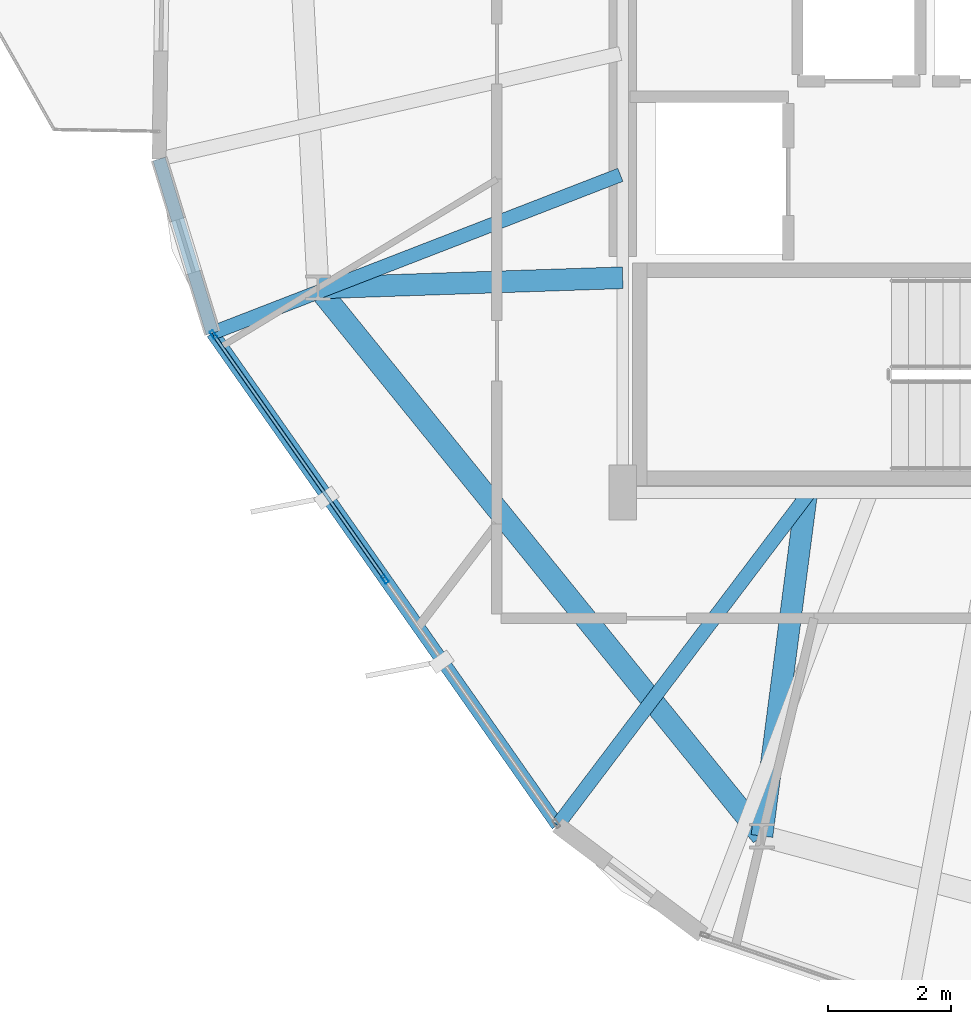
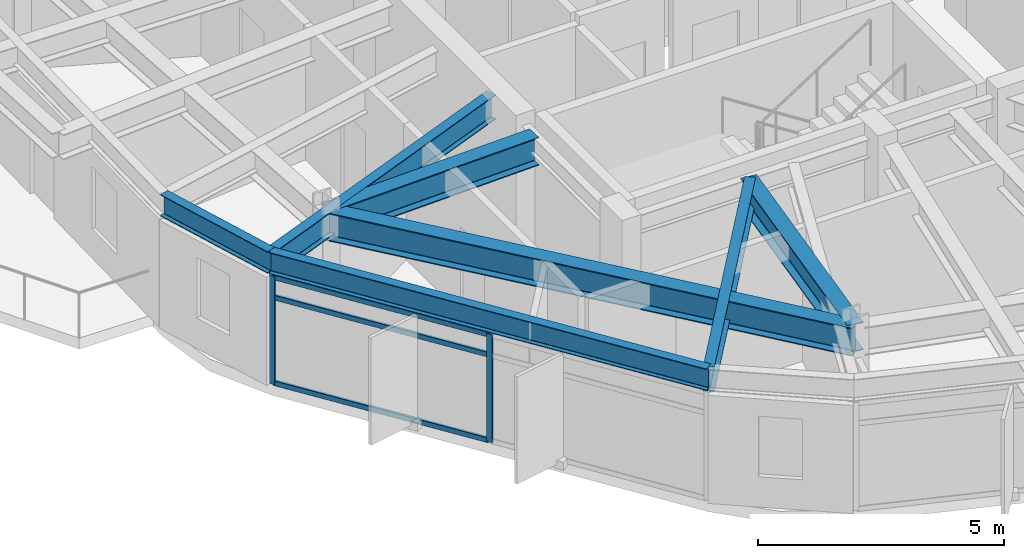
# One storey, part 3 of 29: 7 beams, 5 members, 1 element without a shape of its own.
"""IFC4 building model written with IfcOpenShell, lengths in metres."""

from ifc_helpers import new_model, si_unit, direction, frame, origin, origin_2d, place, context, subcontext, project, spatial, hollow_rectangle, i_section, extrude, material, layer, layer_set, material_profile, profile_set, type_object, element, aggregate, save


model = new_model("IFC4")

# Units and contexts
model_context = context("Model", 3, precision=1e-05, world=origin(), true_north=direction((0.0, 1.0)))
body_context = subcontext(model_context, "Body", "Model", "MODEL_VIEW")
ifc_project = project(units=[si_unit("LENGTHUNIT", "METRE"), si_unit("AREAUNIT", "SQUARE_METRE"), si_unit("VOLUMEUNIT", "CUBIC_METRE"), si_unit("PLANEANGLEUNIT", "RADIAN"), si_unit("MASSUNIT", "GRAM", prefix="KILO")], contexts=[model_context])

# Site, building, storey
site_placement = place(None, origin())
site = spatial("IfcSite", under=ifc_project, at=site_placement, CompositionType="ELEMENT")
building_placement = place(site_placement, origin())
building = spatial("IfcBuilding", under=site, at=building_placement, Name="Soratama Intermodal Tower", CompositionType="ELEMENT")
storey_placement = place(building_placement, frame((0.0, 0.0, 226.60009765625)))
storey = spatial("IfcBuildingStorey", under=building, at=storey_placement, Name="L57", CompositionType="ELEMENT", Elevation=226.60009765625)

# Beams
ifc_material_1 = material(Name="Structural steel ASTM A992 Grade 50", Category="steel")
ifc_material_profile_1 = material_profile(ifc_material_1, i_section(OverallWidth=0.35498046875, OverallDepth=0.695068359375, WebThickness=0.015380859375, FlangeThickness=0.02490234375, FilletRadius=0.01611328125, at=origin_2d()), Name="W27X146")
ifc_profile_set_1 = profile_set([ifc_material_profile_1], Name="Structural steel ASTM A992 Grade 50")
beam_type_1 = type_object("IfcBeamType", Name="BM-RING-W27X146", PredefinedType="BEAM", material=ifc_profile_set_1)
beam_1_placement = place(storey_placement, frame((27.635009765625, 18.333984375, 2.952392578125), z_axis=(0.629384551156, -0.777094001242, 0.0), x_axis=(0.777094001242, 0.629384551156, 0.0)))
element("IfcBeam", 1, at=beam_1_placement, inside=storey, type_object=beam_type_1, Name="BM-L57-RING-06", PredefinedType="BEAM", context=body_context, shape_type="SweptSolid", body=[
    extrude(i_section(OverallWidth=0.35498046875, OverallDepth=0.695068359375, WebThickness=0.015380859375, FlangeThickness=0.02490234375, FilletRadius=0.01611328125, at=origin_2d()), origin(), (0.0, 0.0, 1.0), 11.49560546875),
])
beam_2_placement = place(storey_placement, frame((32.60009765625, 18.5, 2.952392578125), z_axis=(-0.999441465401, -0.033417917907, 0.0), x_axis=(0.033417917907, -0.999441465401, 0.0)))
element("IfcBeam", 2, at=beam_2_placement, inside=storey, type_object=beam_type_1, Name="BM-L57-RAD-06", PredefinedType="BEAM", context=body_context, shape_type="SweptSolid", body=[
    extrude(i_section(OverallWidth=0.35498046875, OverallDepth=0.695068359375, WebThickness=0.015380859375, FlangeThickness=0.02490234375, FilletRadius=0.01611328125, at=origin_2d()), origin(), (0.0, 0.0, 1.0), 4.9677734375),
])
beam_3_placement = place(storey_placement, frame((35.60009765625, 15.0, 2.952392578125), z_axis=(-0.129280033694, -0.991608124658, 0.0), x_axis=(0.991608124658, -0.129280033694, 0.0)))
element("IfcBeam", 3, at=beam_3_placement, inside=storey, type_object=beam_type_1, Name="BM-L57-RAD-07", PredefinedType="BEAM", context=body_context, shape_type="SweptSolid", body=[
    extrude(i_section(OverallWidth=0.35498046875, OverallDepth=0.695068359375, WebThickness=0.015380859375, FlangeThickness=0.02490234375, FilletRadius=0.01611328125, at=origin_2d()), origin(), (0.0, 0.0, 1.0), 5.646484375),
])
ifc_material_2 = material(Name="Structural steel ASTM A992 Grade 50", Category="steel")
ifc_material_profile_2 = material_profile(ifc_material_2, i_section(OverallWidth=0.2099609375, OverallDepth=0.537109375, WebThickness=0.010986328125, FlangeThickness=0.017333984375, FilletRadius=0.012939453125, at=origin_2d()), Name="W21X68")
ifc_profile_set_2 = profile_set([ifc_material_profile_2], Name="Structural steel ASTM A992 Grade 50")
beam_type_2 = type_object("IfcBeamType", Name="BM-SPN-W21X68", PredefinedType="SPANDREL", material=ifc_profile_set_2)
beam_4_placement = place(storey_placement, frame((25.0439453125, 20.43505859375, 3.031494140625), z_axis=(0.293021428362, -0.956105874117, 0.0), x_axis=(0.956105874117, 0.293021428362, 0.0)))
element("IfcBeam", 4, at=beam_4_placement, inside=storey, type_object=beam_type_2, Name="BS-L57-CRN04", PredefinedType="SPANDREL", context=body_context, shape_type="SweptSolid", body=[
    extrude(i_section(OverallWidth=0.2099609375, OverallDepth=0.537109375, WebThickness=0.010986328125, FlangeThickness=0.017333984375, FilletRadius=0.012939453125, at=origin_2d()), origin(), (0.0, 0.0, 1.0), 2.966064453125),
])
beam_5_placement = place(storey_placement, frame((25.9130859375, 17.59912109375, 3.031494140625), z_axis=(0.574109362943, -0.818778626603, 0.0), x_axis=(0.818778626603, 0.574109362943, 0.0)))
element("IfcBeam", 5, at=beam_5_placement, inside=storey, type_object=beam_type_2, Name="BS-L57-F05", PredefinedType="SPANDREL", context=body_context, shape_type="SweptSolid", body=[
    extrude(i_section(OverallWidth=0.2099609375, OverallDepth=0.537109375, WebThickness=0.010986328125, FlangeThickness=0.017333984375, FilletRadius=0.012939453125, at=origin_2d()), origin(), (0.0, 0.0, 1.0), 9.7978515625),
])
ifc_material_3 = material(Name="Structural steel ASTM A992 Grade 50", Category="steel")
ifc_material_profile_3 = material_profile(ifc_material_3, i_section(OverallWidth=0.22900390625, OverallDepth=0.612060546875, WebThickness=0.011962890625, FlangeThickness=0.01953125, FilletRadius=0.012939453125, at=origin_2d()), Name="W24X84")
ifc_profile_set_3 = profile_set([ifc_material_profile_3], Name="Structural steel ASTM A992 Grade 50")
beam_type_3 = type_object("IfcBeamType", Name="BM-TIE-W24X84", PredefinedType="BEAM", material=ifc_profile_set_3)
beam_6_placement = place(storey_placement, frame((32.56298828125, 20.177001953125, 2.993896484375), z_axis=(-0.932392153386, -0.361448298245, 0.0), x_axis=(0.361448298245, -0.932392153386, 0.0)))
element("IfcBeam", 6, at=beam_6_placement, inside=storey, type_object=beam_type_3, Name="BM-L57-TIE0-05", PredefinedType="BEAM", context=body_context, shape_type="SweptSolid", body=[
    extrude(i_section(OverallWidth=0.22900390625, OverallDepth=0.612060546875, WebThickness=0.011962890625, FlangeThickness=0.01953125, FilletRadius=0.012939453125, at=origin_2d()), origin(), (0.0, 0.0, 1.0), 7.132080078125),
])
beam_7_placement = place(storey_placement, frame((35.617919921875, 14.968017578125, 2.993896484375), z_axis=(-0.603449496518, -0.797401219683, 0.0), x_axis=(0.797401219683, -0.603449496518, 0.0)))
element("IfcBeam", 7, at=beam_7_placement, inside=storey, type_object=beam_type_3, Name="BM-L57-TIE1-05", PredefinedType="BEAM", context=body_context, shape_type="SweptSolid", body=[
    extrude(i_section(OverallWidth=0.22900390625, OverallDepth=0.612060546875, WebThickness=0.011962890625, FlangeThickness=0.01953125, FilletRadius=0.012939453125, at=origin_2d()), origin(), (0.0, 0.0, 1.0), 6.7607421875),
])

# Curtain wall, members
ifc_material_4 = material(Name="Double-glazed aluminium curtain wall", Category="aluminium")
ifc_layer = layer(ifc_material_4, 0.159912109375)
ifc_layer_set = layer_set([ifc_layer], Name="Double-glazed aluminium curtain wall")
curtain_wall_type = type_object("IfcCurtainWallType", Name="CW-SYS-5", PredefinedType="NOTDEFINED", material=ifc_layer_set)
curtain_wall_placement = place(storey_placement, origin())
curtain_wall = element("IfcCurtainWall", 8, at=curtain_wall_placement, inside=storey, type_object=curtain_wall_type, Name="L57 Faceted Curtain Wall F05", PredefinedType="NOTDEFINED")
ifc_material_5 = material(Name="Anodised aluminium AA 6063-T6", Category="aluminium")
ifc_material_profile_4 = material_profile(ifc_material_5, hollow_rectangle(XDim=0.06494140625, YDim=0.139892578125, WallThickness=0.0048828125, InnerFilletRadius=0.0048828125, OuterFilletRadius=0.010009765625, at=origin_2d()), Name="CWM140X65X5")
ifc_profile_set_4 = profile_set([ifc_material_profile_4], Name="Anodised aluminium AA 6063-T6")
member_type_1 = type_object("IfcMemberType", Name="MT-CWM-5", PredefinedType="MULLION", material=ifc_profile_set_4)
member_1_placement = place(storey_placement, frame((25.93017578125, 17.573974609375, 0.0), z_axis=(0.0, 0.0, 1.0), x_axis=(0.818750210782, 0.574149886653, 0.0)))
member_1 = element("IfcMember", 9, at=member_1_placement, type_object=member_type_1, Name="CW-5 mullion 1", PredefinedType="MULLION", context=body_context, shape_type="SweptSolid", body=[
    extrude(hollow_rectangle(XDim=0.06494140625, YDim=0.139892578125, WallThickness=0.0048828125, InnerFilletRadius=0.0048828125, OuterFilletRadius=0.010009765625, at=origin_2d()), origin(), (0.0, 0.0, 1.0), 2.678955078125),
])
member_2_placement = place(storey_placement, frame((28.7255859375, 13.587646484375, 0.0), z_axis=(0.0, 0.0, 1.0), x_axis=(0.818750210782, 0.574149886653, 0.0)))
member_2 = element("IfcMember", 10, at=member_2_placement, type_object=member_type_1, Name="CW-5 mullion 2", PredefinedType="MULLION", context=body_context, shape_type="SweptSolid", body=[
    extrude(hollow_rectangle(XDim=0.06494140625, YDim=0.139892578125, WallThickness=0.0048828125, InnerFilletRadius=0.0048828125, OuterFilletRadius=0.010009765625, at=origin_2d()), origin(), (0.0, 0.0, 1.0), 2.678955078125),
])
ifc_material_6 = material(Name="Anodised aluminium AA 6063-T6", Category="aluminium")
ifc_material_profile_5 = material_profile(ifc_material_6, hollow_rectangle(XDim=0.06005859375, YDim=0.1298828125, WallThickness=0.0048828125, InnerFilletRadius=0.0048828125, OuterFilletRadius=0.010009765625, at=origin_2d()), Name="CWT130X60X5")
ifc_profile_set_5 = profile_set([ifc_material_profile_5], Name="Anodised aluminium AA 6063-T6")
member_type_2 = type_object("IfcMemberType", Name="TT-CWT-2", PredefinedType="USERDEFINED", material=ifc_profile_set_5)
member_3_placement = place(storey_placement, frame((25.947509765625, 17.54931640625, 0.02978515625), z_axis=(0.574147014845, -0.818752224635, 0.0), x_axis=(0.818752224635, 0.574147014845, 0.0)))
member_3 = element("IfcMember", 11, at=member_3_placement, type_object=member_type_2, Name="CW-5 transom 1.1", ObjectType="TRANSOM", PredefinedType="USERDEFINED", context=body_context, shape_type="SweptSolid", body=[
    extrude(hollow_rectangle(XDim=0.06005859375, YDim=0.1298828125, WallThickness=0.0048828125, InnerFilletRadius=0.0048828125, OuterFilletRadius=0.010009765625, at=origin_2d()), origin(), (0.0, 0.0, 1.0), 4.808837890625),
])
member_4_placement = place(storey_placement, frame((25.947509765625, 17.54931640625, 2.14990234375), z_axis=(0.574147014845, -0.818752224635, 0.0), x_axis=(0.818752224635, 0.574147014845, 0.0)))
member_4 = element("IfcMember", 12, at=member_4_placement, type_object=member_type_2, Name="CW-5 transom 1.2", ObjectType="TRANSOM", PredefinedType="USERDEFINED", context=body_context, shape_type="SweptSolid", body=[
    extrude(hollow_rectangle(XDim=0.06005859375, YDim=0.1298828125, WallThickness=0.0048828125, InnerFilletRadius=0.0048828125, OuterFilletRadius=0.010009765625, at=origin_2d()), origin(), (0.0, 0.0, 1.0), 4.808837890625),
])
member_5_placement = place(storey_placement, frame((25.947509765625, 17.54931640625, 2.64892578125), z_axis=(0.574147014845, -0.818752224635, 0.0), x_axis=(0.818752224635, 0.574147014845, 0.0)))
member_5 = element("IfcMember", 13, at=member_5_placement, type_object=member_type_2, Name="CW-5 transom 1.3", ObjectType="TRANSOM", PredefinedType="USERDEFINED", context=body_context, shape_type="SweptSolid", body=[
    extrude(hollow_rectangle(XDim=0.06005859375, YDim=0.1298828125, WallThickness=0.0048828125, InnerFilletRadius=0.0048828125, OuterFilletRadius=0.010009765625, at=origin_2d()), origin(), (0.0, 0.0, 1.0), 4.808837890625),
])
aggregate(curtain_wall, [member_1, member_2, member_3, member_4, member_5])

save(model, "model.ifc")
